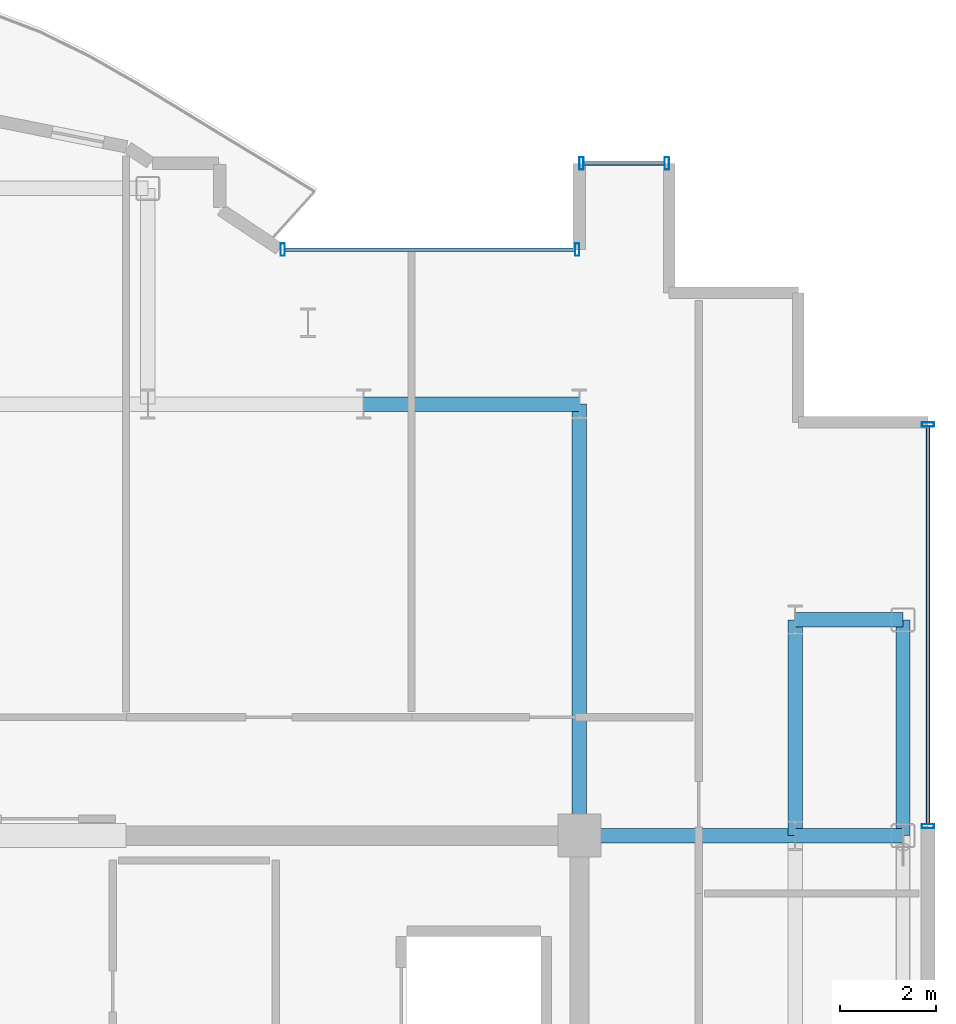
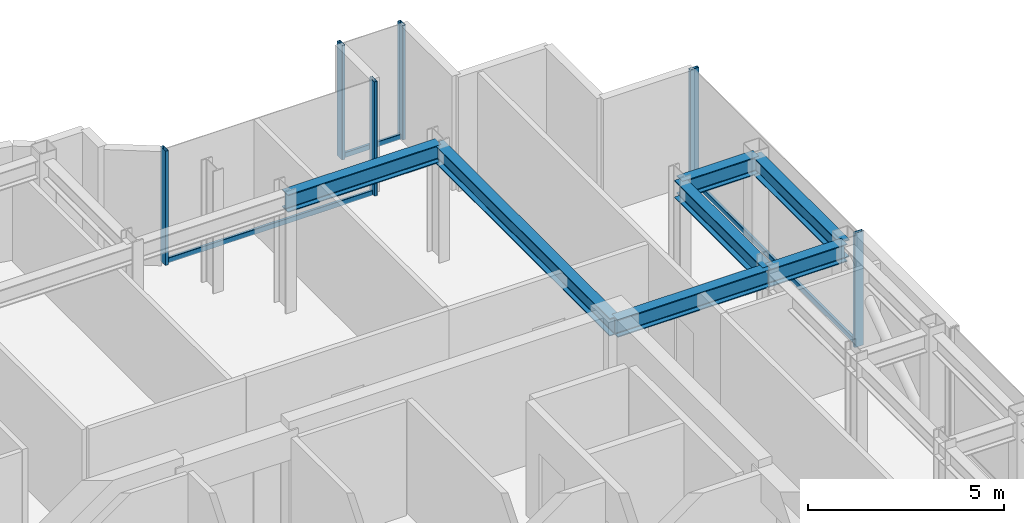
# One storey, part 9 of 16: 9 members, 7 beams, 3 elements without a shape of their own.
"""IFC4 building model written with IfcOpenShell, lengths in metres."""

from ifc_helpers import new_model, si_unit, direction, frame, origin, origin_2d, place, context, subcontext, project, spatial, hollow_rectangle, i_section, extrude, source, transform, mapped, material, layer, layer_set, material_profile, profile_set, type_object, element, aggregate, save


model = new_model("IFC4")

# Units and contexts
model_context = context("Model", 3, precision=1e-05, world=origin(), true_north=direction((0.0, 1.0)))
body_context = subcontext(model_context, "Body", "Model", "MODEL_VIEW")
ifc_project = project(units=[si_unit("LENGTHUNIT", "METRE"), si_unit("AREAUNIT", "SQUARE_METRE"), si_unit("VOLUMEUNIT", "CUBIC_METRE"), si_unit("PLANEANGLEUNIT", "RADIAN"), si_unit("MASSUNIT", "GRAM", prefix="KILO")], contexts=[model_context])

# Site, building, storey
site_placement = place(None, origin())
site = spatial("IfcSite", under=ifc_project, at=site_placement, CompositionType="ELEMENT")
building_placement = place(site_placement, origin())
building = spatial("IfcBuilding", under=site, at=building_placement, Name="Nefas-Gora Pilgrimage Tower", CompositionType="ELEMENT")
storey_placement = place(building_placement, frame((0.0, 0.0, 322.39990234375)))
storey = spatial("IfcBuildingStorey", under=building, at=storey_placement, Name="L81", CompositionType="ELEMENT", Elevation=322.39990234375)

# Beams
ifc_material_1 = material(Name="Steel S355", Category="steel")
ifc_material_profile_1 = material_profile(ifc_material_1, i_section(OverallWidth=0.300048828125, OverallDepth=0.550048828125, WebThickness=0.014892578125, FlangeThickness=0.029052734375, FilletRadius=0.027099609375, at=origin_2d()), Name="HEB 550")
ifc_profile_set_1 = profile_set([ifc_material_profile_1], Name="Steel S355")
beam_type_1 = type_object("IfcBeamType", Name="BM-SPN-HEB400", PredefinedType="SPANDREL", material=ifc_profile_set_1)
shared_shape_1 = source(origin(), body_context, "Body", "SweptSolid", [
    extrude(i_section(OverallWidth=0.300048828125, OverallDepth=0.550048828125, WebThickness=0.014892578125, FlangeThickness=0.029052734375, FilletRadius=0.027099609375, at=origin_2d()), origin(), (0.0, 0.0, 1.0), 4.5),
])
beam_1_placement = place(storey_placement, frame((18.0, 9.0, 3.275146484375), z_axis=(0.0, 1.0, 0.0), x_axis=(-1.0, 0.0, 0.0)))
element("IfcBeam", 1, at=beam_1_placement, inside=storey, type_object=beam_type_1, Name="L81 SP-04 beam", PredefinedType="SPANDREL", context=body_context, shape_type="MappedRepresentation", body=[
    mapped(shared_shape_1, transform((0.0, 0.0, 0.0), x_axis=(1.0, 0.0, 0.0), y_axis=(0.0, 1.0, 0.0), z_axis=(0.0, 0.0, 1.0), scale=1.0)),
])
ifc_material_profile_2 = material_profile(ifc_material_1, i_section(OverallWidth=0.300048828125, OverallDepth=0.550048828125, WebThickness=0.014892578125, FlangeThickness=0.029052734375, FilletRadius=0.027099609375, at=origin_2d()), Name="HEB 550")
ifc_profile_set_2 = profile_set([ifc_material_profile_2], Name="Steel S355")
beam_type_2 = type_object("IfcBeamType", Name="BM-GIR-HEB550", PredefinedType="BEAM", material=ifc_profile_set_2)
shared_shape_2 = source(origin(), body_context, "Body", "SweptSolid", [
    extrude(i_section(OverallWidth=0.300048828125, OverallDepth=0.550048828125, WebThickness=0.014892578125, FlangeThickness=0.029052734375, FilletRadius=0.027099609375, at=origin_2d()), origin(), (0.0, 0.0, 1.0), 9.0),
])
beam_2_placement = place(storey_placement, frame((11.25, 9.0, 3.275146484375), z_axis=(0.0, 1.0, 0.0), x_axis=(-1.0, 0.0, 0.0)))
element("IfcBeam", 2, at=beam_2_placement, inside=storey, type_object=beam_type_2, Name="L81 G-05 beam", PredefinedType="BEAM", context=body_context, shape_type="MappedRepresentation", body=[
    mapped(shared_shape_2, transform((0.0, 0.0, 0.0), x_axis=(1.0, 0.0, 0.0), y_axis=(0.0, 1.0, 0.0), z_axis=(0.0, 0.0, 1.0), scale=1.0)),
])
shared_shape_3 = source(origin(), body_context, "Body", "SweptSolid", [
    extrude(i_section(OverallWidth=0.300048828125, OverallDepth=0.550048828125, WebThickness=0.014892578125, FlangeThickness=0.029052734375, FilletRadius=0.027099609375, at=origin_2d()), origin(), (0.0, 0.0, 1.0), 4.5),
])
for number, where, z_axis, x_axis, name in (
    (3, (6.75, 18.0, 3.275146484375), (1.0, 0.0, 0.0), (0.0, 1.0, 0.0), "L81 G-05 beam"),
    (4, (11.25, 9.0, 3.275146484375), (1.0, 0.0, 0.0), (0.0, 1.0, 0.0), "L81 G-05 beam"),
    (5, (15.75, 9.0, 3.275146484375), (0.0, 1.0, 0.0), (-1.0, 0.0, 0.0), "L81 G-05 beam"),
):
    element("IfcBeam", number, at=place(storey_placement, frame(where, z_axis=z_axis, x_axis=x_axis)), inside=storey, type_object=beam_type_2, Name=name, PredefinedType="BEAM", context=body_context, shape_type="MappedRepresentation", body=[
        mapped(shared_shape_3, transform((0.0, 0.0, 0.0), x_axis=(1.0, 0.0, 0.0), y_axis=(0.0, 1.0, 0.0), z_axis=(0.0, 0.0, 1.0), scale=1.0)),
    ])
shared_shape_4 = source(origin(), body_context, "Body", "SweptSolid", [
    extrude(i_section(OverallWidth=0.300048828125, OverallDepth=0.550048828125, WebThickness=0.014892578125, FlangeThickness=0.029052734375, FilletRadius=0.027099609375, at=origin_2d()), origin(), (0.0, 0.0, 1.0), 2.25),
])
for number, where, z_axis, x_axis, name in (
    (6, (15.75, 9.0, 3.275146484375), (1.0, 0.0, 0.0), (0.0, 1.0, 0.0), "L81 G-05 beam"),
    (7, (15.75, 13.5, 3.275146484375), (1.0, 0.0, 0.0), (0.0, 1.0, 0.0), "L81 G-05 beam"),
):
    element("IfcBeam", number, at=place(storey_placement, frame(where, z_axis=z_axis, x_axis=x_axis)), inside=storey, type_object=beam_type_2, Name=name, PredefinedType="BEAM", context=body_context, shape_type="MappedRepresentation", body=[
        mapped(shared_shape_4, transform((0.0, 0.0, 0.0), x_axis=(1.0, 0.0, 0.0), y_axis=(0.0, 1.0, 0.0), z_axis=(0.0, 0.0, 1.0), scale=1.0)),
    ])

# Curtain wall, members
ifc_material_2 = material(Name="Dark ceramic-fritted solar-control aluminium-glass curtain wall", Category="aluminium")
ifc_layer_1 = layer(ifc_material_2, 0.219970703125)
ifc_layer_set_1 = layer_set([ifc_layer_1], Name="Dark ceramic-fritted solar-control aluminium-glass curtain wall")
curtain_wall_type_1 = type_object("IfcCurtainWallType", Name="CW-SYS-5", PredefinedType="NOTDEFINED", material=ifc_layer_set_1)
curtain_wall_1_placement = place(storey_placement, origin())
curtain_wall_1 = element("IfcCurtainWall", 8, at=curtain_wall_1_placement, inside=storey, type_object=curtain_wall_type_1, Name="L81 Unitised Curtain Wall CW5", PredefinedType="NOTDEFINED")
ifc_material_3 = material(Name="Anodised architectural aluminium", Category="aluminium")
ifc_material_profile_3 = material_profile(ifc_material_3, hollow_rectangle(XDim=0.090087890625, YDim=0.260009765625, WallThickness=0.006103515625, InnerFilletRadius=0.006103515625, OuterFilletRadius=0.011962890625, at=origin_2d()), Name="ALU MULLION 90x260")
ifc_profile_set_3 = profile_set([ifc_material_profile_3], Name="Anodised architectural aluminium")
member_type_1 = type_object("IfcMemberType", Name="CWM-MUL-5", PredefinedType="MULLION", material=ifc_profile_set_3)
shared_shape_5 = source(origin(), body_context, "Body", "SweptSolid", [
    extrude(hollow_rectangle(XDim=0.090087890625, YDim=0.260009765625, WallThickness=0.006103515625, InnerFilletRadius=0.006103515625, OuterFilletRadius=0.011962890625, at=origin_2d()), origin(), (0.0, 0.0, 1.0), 3.550048828125),
])
member_1_placement = place(storey_placement, frame((11.205078125, 21.219970703125, 0.0), z_axis=(0.0, 0.0, 1.0), x_axis=(-1.0, 0.0, 0.0)))
member_1 = element("IfcMember", 9, at=member_1_placement, type_object=member_type_1, Name="CW5 Mullion 1", PredefinedType="MULLION", context=body_context, shape_type="MappedRepresentation", body=[
    mapped(shared_shape_5, transform((0.0, 0.0, 0.0), x_axis=(1.0, 0.0, 0.0), y_axis=(0.0, 1.0, 0.0), z_axis=(0.0, 0.0, 1.0), scale=1.0)),
])
member_2_placement = place(storey_placement, frame((5.06298828125, 21.219970703125, 0.0), z_axis=(0.0, 0.0, 1.0), x_axis=(-1.0, 0.0, 0.0)))
member_2 = element("IfcMember", 10, at=member_2_placement, type_object=member_type_1, Name="CW5 Mullion 2", PredefinedType="MULLION", context=body_context, shape_type="MappedRepresentation", body=[
    mapped(shared_shape_5, transform((0.0, 0.0, 0.0), x_axis=(1.0, 0.0, 0.0), y_axis=(0.0, 1.0, 0.0), z_axis=(0.0, 0.0, 1.0), scale=1.0)),
])
ifc_material_profile_4 = material_profile(ifc_material_3, hollow_rectangle(XDim=0.080078125, YDim=0.159912109375, WallThickness=0.00439453125, InnerFilletRadius=0.00439453125, OuterFilletRadius=0.009033203125, at=origin_2d()), Name="ALU TRANSOM 80x160")
ifc_profile_set_4 = profile_set([ifc_material_profile_4], Name="Anodised architectural aluminium")
member_type_2 = type_object("IfcMemberType", Name="CWM-TRN-5", PredefinedType="USERDEFINED", material=ifc_profile_set_4)
shared_shape_6 = source(origin(), body_context, "Body", "SweptSolid", [
    extrude(hollow_rectangle(XDim=0.080078125, YDim=0.159912109375, WallThickness=0.00439453125, InnerFilletRadius=0.00439453125, OuterFilletRadius=0.009033203125, at=origin_2d()), origin(), (0.0, 0.0, 1.0), 6.052001953125),
])
member_3_placement = place(storey_placement, frame((11.159912109375, 21.219970703125, 0.050048828125), z_axis=(-1.0, 0.0, 0.0), x_axis=(0.0, -1.0, 0.0)))
member_3 = element("IfcMember", 11, at=member_3_placement, type_object=member_type_2, Name="CW5 Spandrel Transom", ObjectType="TRANSOM", PredefinedType="USERDEFINED", context=body_context, shape_type="MappedRepresentation", body=[
    mapped(shared_shape_6, transform((0.0, 0.0, 0.0), x_axis=(1.0, 0.0, 0.0), y_axis=(0.0, 1.0, 0.0), z_axis=(0.0, 0.0, 1.0), scale=1.0)),
])
aggregate(curtain_wall_1, [member_1, member_2, member_3])

# Curtain wall, member
ifc_layer_2 = layer(ifc_material_2, 0.219970703125)
ifc_layer_set_2 = layer_set([ifc_layer_2], Name="Dark ceramic-fritted solar-control aluminium-glass curtain wall")
curtain_wall_type_2 = type_object("IfcCurtainWallType", Name="CW-SYS-4", PredefinedType="NOTDEFINED", material=ifc_layer_set_2)
curtain_wall_2_placement = place(storey_placement, origin())
curtain_wall_2 = element("IfcCurtainWall", 12, at=curtain_wall_2_placement, inside=storey, type_object=curtain_wall_type_2, Name="L81 Unitised Curtain Wall CW4", PredefinedType="NOTDEFINED")
ifc_material_profile_5 = material_profile(ifc_material_3, hollow_rectangle(XDim=0.080078125, YDim=0.159912109375, WallThickness=0.00439453125, InnerFilletRadius=0.00439453125, OuterFilletRadius=0.009033203125, at=origin_2d()), Name="ALU TRANSOM 80x160")
ifc_profile_set_5 = profile_set([ifc_material_profile_5], Name="Anodised architectural aluminium")
member_type_3 = type_object("IfcMemberType", Name="CWM-TRN-4", PredefinedType="USERDEFINED", material=ifc_profile_set_5)
shared_shape_7 = source(origin(), body_context, "Body", "SweptSolid", [
    extrude(hollow_rectangle(XDim=0.080078125, YDim=0.159912109375, WallThickness=0.00439453125, InnerFilletRadius=0.00439453125, OuterFilletRadius=0.009033203125, at=origin_2d()), origin(), (0.0, 0.0, 1.0), 8.2900390625),
])
member_4_placement = place(storey_placement, frame((18.52001953125, 9.239990234375, 0.050048828125), z_axis=(0.0, 1.0, 0.0), x_axis=(-1.0, 0.0, 0.0)))
member_4 = element("IfcMember", 13, at=member_4_placement, type_object=member_type_3, Name="CW4 Spandrel Transom", ObjectType="TRANSOM", PredefinedType="USERDEFINED", context=body_context, shape_type="MappedRepresentation", body=[
    mapped(shared_shape_7, transform((0.0, 0.0, 0.0), x_axis=(1.0, 0.0, 0.0), y_axis=(0.0, 1.0, 0.0), z_axis=(0.0, 0.0, 1.0), scale=1.0)),
])

curtain_wall_3_placement = place(storey_placement, origin())
curtain_wall_3 = element("IfcCurtainWall", 14, at=curtain_wall_3_placement, inside=storey, type_object=curtain_wall_type_2, Name="L81 Unitised Curtain Wall CW4", PredefinedType="NOTDEFINED")
shared_shape_8 = source(origin(), body_context, "Body", "SweptSolid", [
    extrude(hollow_rectangle(XDim=0.080078125, YDim=0.159912109375, WallThickness=0.00439453125, InnerFilletRadius=0.00439453125, OuterFilletRadius=0.009033203125, at=origin_2d()), origin(), (0.0, 0.0, 1.0), 1.68994140625),
])
member_5_placement = place(storey_placement, frame((13.030029296875, 23.02001953125, 0.050048828125), z_axis=(-1.0, 0.0, 0.0), x_axis=(0.0, -1.0, 0.0)))
member_5 = element("IfcMember", 15, at=member_5_placement, type_object=member_type_3, Name="CW4 Spandrel Transom", ObjectType="TRANSOM", PredefinedType="USERDEFINED", context=body_context, shape_type="MappedRepresentation", body=[
    mapped(shared_shape_8, transform((0.0, 0.0, 0.0), x_axis=(1.0, 0.0, 0.0), y_axis=(0.0, 1.0, 0.0), z_axis=(0.0, 0.0, 1.0), scale=1.0)),
])

# Member
ifc_material_profile_6 = material_profile(ifc_material_3, hollow_rectangle(XDim=0.090087890625, YDim=0.260009765625, WallThickness=0.006103515625, InnerFilletRadius=0.006103515625, OuterFilletRadius=0.011962890625, at=origin_2d()), Name="ALU MULLION 90x260")
ifc_profile_set_6 = profile_set([ifc_material_profile_6], Name="Anodised architectural aluminium")
member_type_4 = type_object("IfcMemberType", Name="CWM-MUL-4", PredefinedType="MULLION", material=ifc_profile_set_6)
shared_shape_9 = source(origin(), body_context, "Body", "SweptSolid", [
    extrude(hollow_rectangle(XDim=0.090087890625, YDim=0.260009765625, WallThickness=0.006103515625, InnerFilletRadius=0.006103515625, OuterFilletRadius=0.011962890625, at=origin_2d()), origin(), (0.0, 0.0, 1.0), 3.550048828125),
])
member_6_placement = place(storey_placement, frame((18.52001953125, 9.195068359375, 0.0), z_axis=(0.0, 0.0, 1.0), x_axis=(0.0, 1.0, 0.0)))
member_6 = element("IfcMember", 16, at=member_6_placement, type_object=member_type_4, Name="CW4 Mullion 1", PredefinedType="MULLION", context=body_context, shape_type="MappedRepresentation", body=[
    mapped(shared_shape_9, transform((0.0, 0.0, 0.0), x_axis=(1.0, 0.0, 0.0), y_axis=(0.0, 1.0, 0.0), z_axis=(0.0, 0.0, 1.0), scale=1.0)),
])

member_7_placement = place(storey_placement, frame((18.52001953125, 17.574951171875, 0.0), z_axis=(0.0, 0.0, 1.0), x_axis=(0.0, 1.0, 0.0)))
member_7 = element("IfcMember", 17, at=member_7_placement, type_object=member_type_4, Name="CW4 Mullion 2", PredefinedType="MULLION", context=body_context, shape_type="MappedRepresentation", body=[
    mapped(shared_shape_9, transform((0.0, 0.0, 0.0), x_axis=(1.0, 0.0, 0.0), y_axis=(0.0, 1.0, 0.0), z_axis=(0.0, 0.0, 1.0), scale=1.0)),
])

aggregate(curtain_wall_2, [member_6, member_7, member_4])

member_8_placement = place(storey_placement, frame((13.074951171875, 23.02001953125, 0.0), z_axis=(0.0, 0.0, 1.0), x_axis=(-1.0, 0.0, 0.0)))
member_8 = element("IfcMember", 18, at=member_8_placement, type_object=member_type_4, Name="CW4 Mullion 1", PredefinedType="MULLION", context=body_context, shape_type="MappedRepresentation", body=[
    mapped(shared_shape_9, transform((0.0, 0.0, 0.0), x_axis=(1.0, 0.0, 0.0), y_axis=(0.0, 1.0, 0.0), z_axis=(0.0, 0.0, 1.0), scale=1.0)),
])

member_9_placement = place(storey_placement, frame((11.294921875, 23.02001953125, 0.0), z_axis=(0.0, 0.0, 1.0), x_axis=(-1.0, 0.0, 0.0)))
member_9 = element("IfcMember", 19, at=member_9_placement, type_object=member_type_4, Name="CW4 Mullion 2", PredefinedType="MULLION", context=body_context, shape_type="MappedRepresentation", body=[
    mapped(shared_shape_9, transform((0.0, 0.0, 0.0), x_axis=(1.0, 0.0, 0.0), y_axis=(0.0, 1.0, 0.0), z_axis=(0.0, 0.0, 1.0), scale=1.0)),
])

aggregate(curtain_wall_3, [member_8, member_9, member_5])

save(model, "model.ifc")
